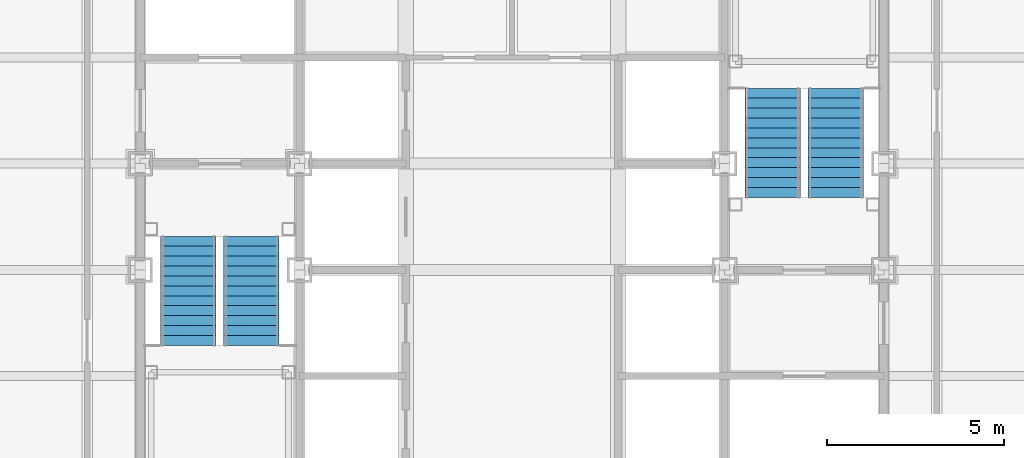
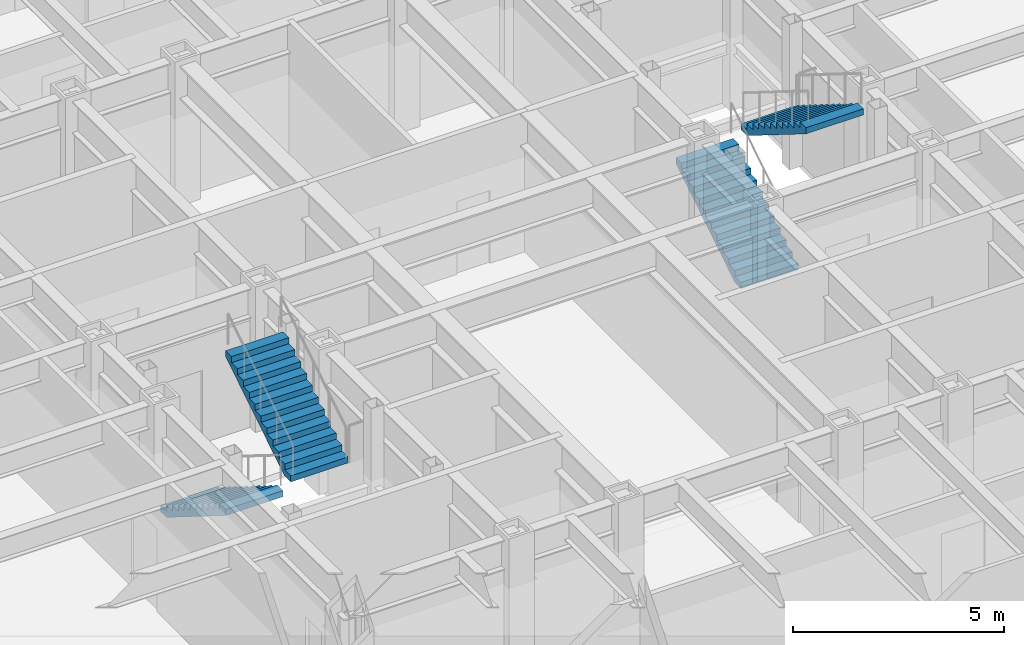
# One storey, part 13 of 16: 4 stair flights, 2 elements without a shape of their own.
"""IFC4 building model written with IfcOpenShell, lengths in metres."""

import ifcopenshell
import ifcopenshell.guid

model = None  # the IFC model being written
_history = None  # IfcOwnerHistory: only IFC2X3 demands one
_inside = {}  # id of a spatial element -> (the spatial element, [elements in it])
_under = {}  # id of a project, library or spatial element -> (it, [spatial elements below it])
_declared = {}  # id of a project -> (the project, [libraries it declares])
_typed = {}  # id of a type object -> (the type object, [elements of that type])
_made_of = {}  # id of a material, layer set ... -> (it, [elements and type objects made of it])


def new_model(schema):
    """Start an empty IFC model of exactly this schema.

    Asked for "IFC4X3", IfcOpenShell would pick the latest addendum, in which some entities
    have other attributes; the version numbers below select the first issue.
    IFC2X3 requires an IfcOwnerHistory on every rooted entity: one is made here for all.
    """
    global model, _history
    if schema == "IFC4X3":
        model = ifcopenshell.file(schema_version=(4, 3, 0, 0))
    else:
        model = ifcopenshell.file(schema=schema)
    _inside.clear()
    _under.clear()
    _declared.clear()
    _typed.clear()
    _made_of.clear()
    _history = None
    if model.schema == "IFC2X3":
        org = make("IfcOrganization", Name="unknown")
        user = make(
            "IfcPersonAndOrganization",
            ThePerson=make("IfcPerson", FamilyName="unknown"),
            TheOrganization=org,
        )
        app = make(
            "IfcApplication",
            ApplicationDeveloper=org,
            Version="unknown",
            ApplicationFullName="unknown",
            ApplicationIdentifier="unknown",
        )
        _history = make(
            "IfcOwnerHistory",
            OwningUser=user,
            OwningApplication=app,
            ChangeAction="ADDED",
            CreationDate=0,
        )
    return model


def make(cls, **values):
    """One entity of the class cls with the attributes given. An attribute that is None is left unset."""
    return model.create_entity(
        cls, **{name: value for name, value in values.items() if value is not None}
    )


def rooted(cls, **values):
    """An entity with a GlobalId (a new one), such as an element, a storey or a relation."""
    return make(cls, GlobalId=ifcopenshell.guid.new(), OwnerHistory=_history, **values)


def si_unit(unit_type, name, prefix=None):
    """IfcSIUnit, for example si_unit("LENGTHUNIT", "METRE", prefix="MILLI")."""
    return make("IfcSIUnit", UnitType=unit_type, Prefix=prefix, Name=name)


def assignment(units):
    """IfcUnitAssignment: the units of a project."""
    return None if units is None else make("IfcUnitAssignment", Units=units)


def point(xyz):
    """IfcCartesianPoint."""
    return None if xyz is None else make("IfcCartesianPoint", Coordinates=xyz)


def direction(xyz):
    """IfcDirection."""
    return None if xyz is None else make("IfcDirection", DirectionRatios=xyz)


def frame(location, z_axis=None, x_axis=None):
    """IfcAxis2Placement3D, a coordinate frame: its origin and axes. An axis left out is left unset."""
    return make(
        "IfcAxis2Placement3D",
        Location=point(location),
        Axis=direction(z_axis),
        RefDirection=direction(x_axis),
    )


def origin():
    """The frame at (0, 0, 0) with its axes left unset."""
    return frame((0.0, 0.0, 0.0))


def place(relative_to, where):
    """IfcLocalPlacement: puts the frame where relative to a parent placement (None: the world)."""
    return make(
        "IfcLocalPlacement", PlacementRelTo=relative_to, RelativePlacement=where
    )


def context(
    kind, dimensions, precision=None, world=None, true_north=None, identifier=None
):
    """IfcGeometricRepresentationContext, for example the 3D "Model" context."""
    return make(
        "IfcGeometricRepresentationContext",
        ContextIdentifier=identifier,
        ContextType=kind,
        CoordinateSpaceDimension=dimensions,
        Precision=precision,
        WorldCoordinateSystem=world,
        TrueNorth=true_north,
    )


def subcontext(parent, identifier, kind, view, scale=None):
    """IfcGeometricRepresentationSubContext, for example "Body" below "Model"."""
    return make(
        "IfcGeometricRepresentationSubContext",
        ContextIdentifier=identifier,
        ContextType=kind,
        ParentContext=parent,
        TargetScale=scale,
        TargetView=view,
    )


def project(units=None, contexts=None):
    """IfcProject with its units and contexts."""
    return rooted(
        "IfcProject",
        Name="project",
        RepresentationContexts=contexts,
        UnitsInContext=assignment(units),
    )


def spatial(cls, under=None, at=None, **own):
    """A site, building, storey or space (cls), placed at a placement, below another one or the project."""
    s = rooted(cls, ObjectPlacement=at, **own)
    if under is not None:
        _under.setdefault(under.id(), (under, []))[1].append(s)
    return s


def faces_of(points, faces, orient=None, outer=None):
    """IfcFace entities. A face is a list of loops; a loop is a list of indices into points, from 0.

    orient and outer hold one flag for each loop. By default every Orientation is true, the
    first loop of a face is its IfcFaceOuterBound and the others are IfcFaceBound.
    """
    made = []
    for i, loops in enumerate(faces):
        bounds = []
        for j, loop in enumerate(loops):
            is_outer = j == 0 if outer is None else outer[i][j]
            bounds.append(
                make(
                    "IfcFaceOuterBound" if is_outer else "IfcFaceBound",
                    Bound=make("IfcPolyLoop", Polygon=[points[k] for k in loop]),
                    Orientation=True if orient is None else orient[i][j],
                )
            )
        made.append(make("IfcFace", Bounds=bounds))
    return made


def faceted_brep(points, faces, orient=None, outer=None, voids=None):
    """IfcFacetedBrep: a solid bounded by flat faces; with voids (closed shells), ...WithVoids."""
    shared = [point(p) for p in points]
    hull = make("IfcClosedShell", CfsFaces=faces_of(shared, faces, orient, outer))
    if voids is None:
        return make("IfcFacetedBrep", Outer=hull)
    return make(
        "IfcFacetedBrepWithVoids",
        Outer=hull,
        Voids=[
            make(cls, CfsFaces=faces_of(shared, fs, o, b)) for cls, fs, o, b in voids
        ],
    )


def shape(context_of_items, identifier, shape_type, items):
    """IfcShapeRepresentation: the items that make up one representation, for example the "Body"."""
    return make(
        "IfcShapeRepresentation",
        ContextOfItems=context_of_items,
        RepresentationIdentifier=identifier,
        RepresentationType=shape_type,
        Items=items,
    )


def material(Name=None, Category=None):
    """IfcMaterial."""
    return make("IfcMaterial", Name=Name, Category=Category)


def made_of(thing, what):
    """Note that an element or type object is made of a material, layer set ...; save() writes the relation."""
    if what is not None:
        _made_of.setdefault(what.id(), (what, []))[1].append(thing)
    return thing


def type_object(cls, material=None, **own):
    """A type object (cls), such as IfcWallType, which elements share."""
    return made_of(rooted(cls, **own), material)


def element(
    cls,
    number,
    at=None,
    inside=None,
    cuts=None,
    type_object=None,
    material=None,
    context=None,
    identifier="Body",
    shape_type=None,
    held_by="IfcProductDefinitionShape",
    body=None,
    shapes=None,
    **own,
):
    """One element of the class cls, such as IfcWall. Its Tag is "e" and its number.

    at: its placement. inside: the storey or other place that contains it. cuts: it is an
    opening in that element (IfcRelVoidsElement). A single representation is given by context,
    identifier, shape_type and body (its items); several are given by shapes. held_by: the class
    of the entity that holds the representations. save() writes the other relations.
    """
    e = rooted(cls, Tag="e%d" % number, ObjectPlacement=at, **own)
    if body is not None:
        shapes = [shape(context, identifier, shape_type, body)]
    if shapes is not None:
        e.Representation = make(held_by, Representations=shapes)
    if inside is not None:
        _inside.setdefault(inside.id(), (inside, []))[1].append(e)
    if cuts is not None:
        rooted(
            "IfcRelVoidsElement", RelatingBuildingElement=cuts, RelatedOpeningElement=e
        )
    if type_object is not None:
        _typed.setdefault(type_object.id(), (type_object, []))[1].append(e)
    return made_of(e, material)


def aggregate(whole, parts):
    """IfcRelAggregates: a whole, such as a stair, and the parts it consists of."""
    return rooted("IfcRelAggregates", RelatingObject=whole, RelatedObjects=parts)


def save(model, path):
    """Write the relations noted so far, then the file.

    IfcRelAggregates (storeys below a building ...), IfcRelContainedInSpatialStructure (elements
    in a storey), IfcRelDefinesByType, IfcRelAssociatesMaterial and IfcRelDeclares: one each for
    every whole, place, type object, material and project.
    """
    for whole, parts in _under.values():
        aggregate(whole, parts)
    for where, things in _inside.values():
        rooted(
            "IfcRelContainedInSpatialStructure",
            RelatedElements=things,
            RelatingStructure=where,
        )
    for kind, things in _typed.values():
        rooted("IfcRelDefinesByType", RelatedObjects=things, RelatingType=kind)
    for what, things in _made_of.values():
        rooted("IfcRelAssociatesMaterial", RelatedObjects=things, RelatingMaterial=what)
    for by, libraries in _declared.values():
        rooted("IfcRelDeclares", RelatingContext=by, RelatedDefinitions=libraries)
    model.write(path)


model = new_model("IFC4")

# Units and contexts
model_context = context("Model", 3, precision=1e-05, world=origin(), true_north=direction((0.0, 1.0)))
body_context = subcontext(model_context, "Body", "Model", "MODEL_VIEW")
ifc_project = project(units=[si_unit("LENGTHUNIT", "METRE"), si_unit("AREAUNIT", "SQUARE_METRE"), si_unit("VOLUMEUNIT", "CUBIC_METRE"), si_unit("PLANEANGLEUNIT", "RADIAN"), si_unit("MASSUNIT", "GRAM", prefix="KILO")], contexts=[model_context])

# Site, building, storey
site_placement = place(None, origin())
site = spatial("IfcSite", under=ifc_project, at=site_placement, CompositionType="ELEMENT")
building_placement = place(site_placement, origin())
building = spatial("IfcBuilding", under=site, at=building_placement, Name="Chuquiago Exchange Tower", CompositionType="ELEMENT")
storey_placement = place(building_placement, frame((0.0, 0.0, 111.0)))
storey = spatial("IfcBuildingStorey", under=building, at=storey_placement, Name="L23", CompositionType="ELEMENT", Elevation=111.0)

# Stair, stair flights
ifc_material_1 = material(Name="Concrete C30/37, precast", Category="concrete")
stair_type_1 = type_object("IfcStairType", Name="ST1 half-turn stair 4200", PredefinedType="HALF_TURN_STAIR", material=ifc_material_1)
stair_1_placement = place(storey_placement, origin())
stair_1 = element("IfcStair", 1, at=stair_1_placement, inside=storey, type_object=stair_type_1, Name="Stair ST1 L23", PredefinedType="HALF_TURN_STAIR")
ifc_material_2 = material(Name="Concrete C30/37, precast", Category="concrete")
stair_flight_type = type_object("IfcStairFlightType", Name="ST-F flight 1570 for 4200 storey", PredefinedType="STRAIGHT", material=ifc_material_2)
stair_flight_1_placement = place(storey_placement, frame((13.360107421875, 21.949951171875, 0.0), z_axis=(0.0, 0.0, 1.0), x_axis=(0.0, -1.0, 0.0)))
stair_flight_1 = element("IfcStairFlight", 2, at=stair_flight_1_placement, type_object=stair_flight_type, Name="ST1 flight 1", NumberOfRisers=12, NumberOfTreads=11, PredefinedType="STRAIGHT", RiserHeight=0.175, TreadLength=0.28, context=body_context, shape_type="Brep", body=[
    faceted_brep([(0.0, 0.78515625, 0.0), (0.0, 0.78515625, 0.175048828125), (0.280029296875, 0.78515625, 0.175048828125), (0.280029296875, 0.78515625, 0.35009765625), (0.56005859375, 0.78515625, 0.35009765625), (0.56005859375, 0.78515625, 0.52490234375), (0.840087890625, 0.78515625, 0.52490234375), (0.840087890625, 0.78515625, 0.699951171875), (1.1201171875, 0.78515625, 0.699951171875), (1.1201171875, 0.78515625, 0.875), (1.39990234375, 0.78515625, 0.875), (1.39990234375, 0.78515625, 1.050048828125), (1.679931640625, 0.78515625, 1.050048828125), (1.679931640625, 0.78515625, 1.22509765625), (1.9599609375, 0.78515625, 1.22509765625), (1.9599609375, 0.78515625, 1.39990234375), (2.239990234375, 0.78515625, 1.39990234375), (2.239990234375, 0.78515625, 1.574951171875), (2.52001953125, 0.78515625, 1.574951171875), (2.52001953125, 0.78515625, 1.75), (2.800048828125, 0.78515625, 1.75), (2.800048828125, 0.78515625, 1.925048828125), (3.080078125, 0.78515625, 1.925048828125), (3.080078125, 0.78515625, 1.748291015625), (0.28271484375, 0.78515625, 0.0), (0.28271484375, -0.78515625, 0.0), (3.080078125, -0.78515625, 1.748291015625), (3.080078125, -0.78515625, 1.925048828125), (2.800048828125, -0.78515625, 1.925048828125), (2.800048828125, -0.78515625, 1.75), (2.52001953125, -0.78515625, 1.75), (2.52001953125, -0.78515625, 1.574951171875), (2.239990234375, -0.78515625, 1.574951171875), (2.239990234375, -0.78515625, 1.39990234375), (1.9599609375, -0.78515625, 1.39990234375), (1.9599609375, -0.78515625, 1.22509765625), (1.679931640625, -0.78515625, 1.22509765625), (1.679931640625, -0.78515625, 1.050048828125), (1.39990234375, -0.78515625, 1.050048828125), (1.39990234375, -0.78515625, 0.875), (1.1201171875, -0.78515625, 0.875), (1.1201171875, -0.78515625, 0.699951171875), (0.840087890625, -0.78515625, 0.699951171875), (0.840087890625, -0.78515625, 0.52490234375), (0.56005859375, -0.78515625, 0.52490234375), (0.56005859375, -0.78515625, 0.35009765625), (0.280029296875, -0.78515625, 0.35009765625), (0.280029296875, -0.78515625, 0.175048828125), (0.0, -0.78515625, 0.175048828125), (0.0, -0.78515625, 0.0), (0.0, 0.392578125, 0.0), (0.0, 0.392578125, 0.175048828125), (0.0, 0.0, 0.0), (0.0, 0.0, 0.175048828125), (0.0, -0.392578125, 0.0), (0.0, -0.392578125, 0.175048828125), (0.280029296875, 0.392578125, 0.175048828125), (0.280029296875, 0.0, 0.175048828125), (0.280029296875, -0.392578125, 0.175048828125), (0.280029296875, 0.392578125, 0.35009765625), (0.280029296875, 0.0, 0.35009765625), (0.280029296875, -0.392578125, 0.35009765625), (0.56005859375, 0.392578125, 0.35009765625), (0.56005859375, 0.0, 0.35009765625), (0.56005859375, -0.392578125, 0.35009765625), (0.56005859375, 0.392578125, 0.52490234375), (0.56005859375, 0.0, 0.52490234375), (0.56005859375, -0.392578125, 0.52490234375), (0.840087890625, 0.392578125, 0.52490234375), (0.840087890625, 0.0, 0.52490234375), (0.840087890625, -0.392578125, 0.52490234375), (0.840087890625, 0.392578125, 0.699951171875), (0.840087890625, 0.0, 0.699951171875), (0.840087890625, -0.392578125, 0.699951171875), (1.1201171875, 0.392578125, 0.699951171875), (1.1201171875, 0.0, 0.699951171875), (1.1201171875, -0.392578125, 0.699951171875), (1.1201171875, 0.392578125, 0.875), (1.1201171875, 0.0, 0.875), (1.1201171875, -0.392578125, 0.875), (1.39990234375, 0.392578125, 0.875), (1.39990234375, 0.0, 0.875), (1.39990234375, -0.392578125, 0.875), (1.39990234375, 0.392578125, 1.050048828125), (1.39990234375, 0.0, 1.050048828125), (1.39990234375, -0.392578125, 1.050048828125), (1.679931640625, 0.392578125, 1.050048828125), (1.679931640625, 0.0, 1.050048828125), (1.679931640625, -0.392578125, 1.050048828125), (1.679931640625, 0.392578125, 1.22509765625), (1.679931640625, 0.0, 1.22509765625), (1.679931640625, -0.392578125, 1.22509765625), (1.9599609375, 0.392578125, 1.22509765625), (1.9599609375, 0.0, 1.22509765625), (1.9599609375, -0.392578125, 1.22509765625), (1.9599609375, 0.392578125, 1.39990234375), (1.9599609375, 0.0, 1.39990234375), (1.9599609375, -0.392578125, 1.39990234375), (2.239990234375, 0.392578125, 1.39990234375), (2.239990234375, 0.0, 1.39990234375), (2.239990234375, -0.392578125, 1.39990234375), (2.239990234375, 0.392578125, 1.574951171875), (2.239990234375, 0.0, 1.574951171875), (2.239990234375, -0.392578125, 1.574951171875), (2.52001953125, 0.392578125, 1.574951171875), (2.52001953125, 0.0, 1.574951171875), (2.52001953125, -0.392578125, 1.574951171875), (2.52001953125, 0.392578125, 1.75), (2.52001953125, 0.0, 1.75), (2.52001953125, -0.392578125, 1.75), (2.800048828125, 0.392578125, 1.75), (2.800048828125, 0.0, 1.75), (2.800048828125, -0.392578125, 1.75), (2.800048828125, 0.392578125, 1.925048828125), (2.800048828125, 0.0, 1.925048828125), (2.800048828125, -0.392578125, 1.925048828125), (3.080078125, 0.392578125, 1.925048828125), (3.080078125, 0.0, 1.925048828125), (3.080078125, -0.392578125, 1.925048828125), (3.080078125, 0.392578125, 1.748291015625), (3.080078125, 0.0, 1.748291015625), (3.080078125, -0.392578125, 1.748291015625), (0.28271484375, 0.392578125, 0.0), (0.28271484375, 0.0, 0.0), (0.28271484375, -0.392578125, 0.0)], [[[0, 1, 2, 3, 4, 5, 6, 7, 8, 9, 10, 11, 12, 13, 14, 15, 16, 17, 18, 19, 20, 21, 22, 23, 24]], [[25, 26, 27, 28, 29, 30, 31, 32, 33, 34, 35, 36, 37, 38, 39, 40, 41, 42, 43, 44, 45, 46, 47, 48, 49]], [[1, 0, 50, 51]], [[51, 50, 52, 53]], [[53, 52, 54, 55]], [[55, 54, 49, 48]], [[2, 1, 51, 56]], [[56, 51, 53, 57]], [[57, 53, 55, 58]], [[58, 55, 48, 47]], [[3, 2, 56, 59]], [[59, 56, 57, 60]], [[60, 57, 58, 61]], [[61, 58, 47, 46]], [[4, 3, 59, 62]], [[62, 59, 60, 63]], [[63, 60, 61, 64]], [[64, 61, 46, 45]], [[5, 4, 62, 65]], [[65, 62, 63, 66]], [[66, 63, 64, 67]], [[67, 64, 45, 44]], [[6, 5, 65, 68]], [[68, 65, 66, 69]], [[69, 66, 67, 70]], [[70, 67, 44, 43]], [[7, 6, 68, 71]], [[71, 68, 69, 72]], [[72, 69, 70, 73]], [[73, 70, 43, 42]], [[8, 7, 71, 74]], [[74, 71, 72, 75]], [[75, 72, 73, 76]], [[76, 73, 42, 41]], [[9, 8, 74, 77]], [[77, 74, 75, 78]], [[78, 75, 76, 79]], [[79, 76, 41, 40]], [[10, 9, 77, 80]], [[80, 77, 78, 81]], [[81, 78, 79, 82]], [[82, 79, 40, 39]], [[11, 10, 80, 83]], [[83, 80, 81, 84]], [[84, 81, 82, 85]], [[85, 82, 39, 38]], [[12, 11, 83, 86]], [[86, 83, 84, 87]], [[87, 84, 85, 88]], [[88, 85, 38, 37]], [[13, 12, 86, 89]], [[89, 86, 87, 90]], [[90, 87, 88, 91]], [[91, 88, 37, 36]], [[14, 13, 89, 92]], [[92, 89, 90, 93]], [[93, 90, 91, 94]], [[94, 91, 36, 35]], [[15, 14, 92, 95]], [[95, 92, 93, 96]], [[96, 93, 94, 97]], [[97, 94, 35, 34]], [[16, 15, 95, 98]], [[98, 95, 96, 99]], [[99, 96, 97, 100]], [[100, 97, 34, 33]], [[17, 16, 98, 101]], [[101, 98, 99, 102]], [[102, 99, 100, 103]], [[103, 100, 33, 32]], [[18, 17, 101, 104]], [[104, 101, 102, 105]], [[105, 102, 103, 106]], [[106, 103, 32, 31]], [[19, 18, 104, 107]], [[107, 104, 105, 108]], [[108, 105, 106, 109]], [[109, 106, 31, 30]], [[20, 19, 107, 110]], [[110, 107, 108, 111]], [[111, 108, 109, 112]], [[112, 109, 30, 29]], [[21, 20, 110, 113]], [[113, 110, 111, 114]], [[114, 111, 112, 115]], [[115, 112, 29, 28]], [[22, 21, 113, 116]], [[116, 113, 114, 117]], [[117, 114, 115, 118]], [[118, 115, 28, 27]], [[23, 22, 116, 119]], [[119, 116, 117, 120]], [[120, 117, 118, 121]], [[121, 118, 27, 26]], [[24, 23, 119, 122]], [[122, 119, 120, 123]], [[123, 120, 121, 124]], [[124, 121, 26, 25]], [[0, 24, 122, 50]], [[50, 122, 123, 52]], [[52, 123, 124, 54]], [[54, 124, 25, 49]]]),
])
stair_flight_2_placement = place(storey_placement, frame((15.139892578125, 18.8701171875, 2.10009765625), z_axis=(0.0, 0.0, 1.0), x_axis=(0.0, 1.0, 0.0)))
stair_flight_2 = element("IfcStairFlight", 3, at=stair_flight_2_placement, type_object=stair_flight_type, Name="ST1 flight 2", NumberOfRisers=12, NumberOfTreads=11, PredefinedType="STRAIGHT", RiserHeight=0.175, TreadLength=0.28, context=body_context, shape_type="Brep", body=[
    faceted_brep([(0.0, 0.78515625, 0.0), (0.0, 0.78515625, 0.175048828125), (0.280029296875, 0.78515625, 0.175048828125), (0.280029296875, 0.78515625, 0.35009765625), (0.56005859375, 0.78515625, 0.35009765625), (0.56005859375, 0.78515625, 0.52490234375), (0.840087890625, 0.78515625, 0.52490234375), (0.840087890625, 0.78515625, 0.699951171875), (1.1201171875, 0.78515625, 0.699951171875), (1.1201171875, 0.78515625, 0.875), (1.39990234375, 0.78515625, 0.875), (1.39990234375, 0.78515625, 1.050048828125), (1.679931640625, 0.78515625, 1.050048828125), (1.679931640625, 0.78515625, 1.22509765625), (1.9599609375, 0.78515625, 1.22509765625), (1.9599609375, 0.78515625, 1.39990234375), (2.239990234375, 0.78515625, 1.39990234375), (2.239990234375, 0.78515625, 1.574951171875), (2.52001953125, 0.78515625, 1.574951171875), (2.52001953125, 0.78515625, 1.75), (2.800048828125, 0.78515625, 1.75), (2.800048828125, 0.78515625, 1.925048828125), (3.080078125, 0.78515625, 1.925048828125), (3.080078125, 0.78515625, 1.748291015625), (0.28271484375, 0.78515625, 0.0), (0.28271484375, -0.78515625, 0.0), (3.080078125, -0.78515625, 1.748291015625), (3.080078125, -0.78515625, 1.925048828125), (2.800048828125, -0.78515625, 1.925048828125), (2.800048828125, -0.78515625, 1.75), (2.52001953125, -0.78515625, 1.75), (2.52001953125, -0.78515625, 1.574951171875), (2.239990234375, -0.78515625, 1.574951171875), (2.239990234375, -0.78515625, 1.39990234375), (1.9599609375, -0.78515625, 1.39990234375), (1.9599609375, -0.78515625, 1.22509765625), (1.679931640625, -0.78515625, 1.22509765625), (1.679931640625, -0.78515625, 1.050048828125), (1.39990234375, -0.78515625, 1.050048828125), (1.39990234375, -0.78515625, 0.875), (1.1201171875, -0.78515625, 0.875), (1.1201171875, -0.78515625, 0.699951171875), (0.840087890625, -0.78515625, 0.699951171875), (0.840087890625, -0.78515625, 0.52490234375), (0.56005859375, -0.78515625, 0.52490234375), (0.56005859375, -0.78515625, 0.35009765625), (0.280029296875, -0.78515625, 0.35009765625), (0.280029296875, -0.78515625, 0.175048828125), (0.0, -0.78515625, 0.175048828125), (0.0, -0.78515625, 0.0), (0.0, 0.392578125, 0.0), (0.0, 0.392578125, 0.175048828125), (0.0, 0.0, 0.0), (0.0, 0.0, 0.175048828125), (0.0, -0.392578125, 0.0), (0.0, -0.392578125, 0.175048828125), (0.280029296875, 0.392578125, 0.175048828125), (0.280029296875, 0.0, 0.175048828125), (0.280029296875, -0.392578125, 0.175048828125), (0.280029296875, 0.392578125, 0.35009765625), (0.280029296875, 0.0, 0.35009765625), (0.280029296875, -0.392578125, 0.35009765625), (0.56005859375, 0.392578125, 0.35009765625), (0.56005859375, 0.0, 0.35009765625), (0.56005859375, -0.392578125, 0.35009765625), (0.56005859375, 0.392578125, 0.52490234375), (0.56005859375, 0.0, 0.52490234375), (0.56005859375, -0.392578125, 0.52490234375), (0.840087890625, 0.392578125, 0.52490234375), (0.840087890625, 0.0, 0.52490234375), (0.840087890625, -0.392578125, 0.52490234375), (0.840087890625, 0.392578125, 0.699951171875), (0.840087890625, 0.0, 0.699951171875), (0.840087890625, -0.392578125, 0.699951171875), (1.1201171875, 0.392578125, 0.699951171875), (1.1201171875, 0.0, 0.699951171875), (1.1201171875, -0.392578125, 0.699951171875), (1.1201171875, 0.392578125, 0.875), (1.1201171875, 0.0, 0.875), (1.1201171875, -0.392578125, 0.875), (1.39990234375, 0.392578125, 0.875), (1.39990234375, 0.0, 0.875), (1.39990234375, -0.392578125, 0.875), (1.39990234375, 0.392578125, 1.050048828125), (1.39990234375, 0.0, 1.050048828125), (1.39990234375, -0.392578125, 1.050048828125), (1.679931640625, 0.392578125, 1.050048828125), (1.679931640625, 0.0, 1.050048828125), (1.679931640625, -0.392578125, 1.050048828125), (1.679931640625, 0.392578125, 1.22509765625), (1.679931640625, 0.0, 1.22509765625), (1.679931640625, -0.392578125, 1.22509765625), (1.9599609375, 0.392578125, 1.22509765625), (1.9599609375, 0.0, 1.22509765625), (1.9599609375, -0.392578125, 1.22509765625), (1.9599609375, 0.392578125, 1.39990234375), (1.9599609375, 0.0, 1.39990234375), (1.9599609375, -0.392578125, 1.39990234375), (2.239990234375, 0.392578125, 1.39990234375), (2.239990234375, 0.0, 1.39990234375), (2.239990234375, -0.392578125, 1.39990234375), (2.239990234375, 0.392578125, 1.574951171875), (2.239990234375, 0.0, 1.574951171875), (2.239990234375, -0.392578125, 1.574951171875), (2.52001953125, 0.392578125, 1.574951171875), (2.52001953125, 0.0, 1.574951171875), (2.52001953125, -0.392578125, 1.574951171875), (2.52001953125, 0.392578125, 1.75), (2.52001953125, 0.0, 1.75), (2.52001953125, -0.392578125, 1.75), (2.800048828125, 0.392578125, 1.75), (2.800048828125, 0.0, 1.75), (2.800048828125, -0.392578125, 1.75), (2.800048828125, 0.392578125, 1.925048828125), (2.800048828125, 0.0, 1.925048828125), (2.800048828125, -0.392578125, 1.925048828125), (3.080078125, 0.392578125, 1.925048828125), (3.080078125, 0.0, 1.925048828125), (3.080078125, -0.392578125, 1.925048828125), (3.080078125, 0.392578125, 1.748291015625), (3.080078125, 0.0, 1.748291015625), (3.080078125, -0.392578125, 1.748291015625), (0.28271484375, 0.392578125, 0.0), (0.28271484375, 0.0, 0.0), (0.28271484375, -0.392578125, 0.0)], [[[0, 1, 2, 3, 4, 5, 6, 7, 8, 9, 10, 11, 12, 13, 14, 15, 16, 17, 18, 19, 20, 21, 22, 23, 24]], [[25, 26, 27, 28, 29, 30, 31, 32, 33, 34, 35, 36, 37, 38, 39, 40, 41, 42, 43, 44, 45, 46, 47, 48, 49]], [[1, 0, 50, 51]], [[51, 50, 52, 53]], [[53, 52, 54, 55]], [[55, 54, 49, 48]], [[2, 1, 51, 56]], [[56, 51, 53, 57]], [[57, 53, 55, 58]], [[58, 55, 48, 47]], [[3, 2, 56, 59]], [[59, 56, 57, 60]], [[60, 57, 58, 61]], [[61, 58, 47, 46]], [[4, 3, 59, 62]], [[62, 59, 60, 63]], [[63, 60, 61, 64]], [[64, 61, 46, 45]], [[5, 4, 62, 65]], [[65, 62, 63, 66]], [[66, 63, 64, 67]], [[67, 64, 45, 44]], [[6, 5, 65, 68]], [[68, 65, 66, 69]], [[69, 66, 67, 70]], [[70, 67, 44, 43]], [[7, 6, 68, 71]], [[71, 68, 69, 72]], [[72, 69, 70, 73]], [[73, 70, 43, 42]], [[8, 7, 71, 74]], [[74, 71, 72, 75]], [[75, 72, 73, 76]], [[76, 73, 42, 41]], [[9, 8, 74, 77]], [[77, 74, 75, 78]], [[78, 75, 76, 79]], [[79, 76, 41, 40]], [[10, 9, 77, 80]], [[80, 77, 78, 81]], [[81, 78, 79, 82]], [[82, 79, 40, 39]], [[11, 10, 80, 83]], [[83, 80, 81, 84]], [[84, 81, 82, 85]], [[85, 82, 39, 38]], [[12, 11, 83, 86]], [[86, 83, 84, 87]], [[87, 84, 85, 88]], [[88, 85, 38, 37]], [[13, 12, 86, 89]], [[89, 86, 87, 90]], [[90, 87, 88, 91]], [[91, 88, 37, 36]], [[14, 13, 89, 92]], [[92, 89, 90, 93]], [[93, 90, 91, 94]], [[94, 91, 36, 35]], [[15, 14, 92, 95]], [[95, 92, 93, 96]], [[96, 93, 94, 97]], [[97, 94, 35, 34]], [[16, 15, 95, 98]], [[98, 95, 96, 99]], [[99, 96, 97, 100]], [[100, 97, 34, 33]], [[17, 16, 98, 101]], [[101, 98, 99, 102]], [[102, 99, 100, 103]], [[103, 100, 33, 32]], [[18, 17, 101, 104]], [[104, 101, 102, 105]], [[105, 102, 103, 106]], [[106, 103, 32, 31]], [[19, 18, 104, 107]], [[107, 104, 105, 108]], [[108, 105, 106, 109]], [[109, 106, 31, 30]], [[20, 19, 107, 110]], [[110, 107, 108, 111]], [[111, 108, 109, 112]], [[112, 109, 30, 29]], [[21, 20, 110, 113]], [[113, 110, 111, 114]], [[114, 111, 112, 115]], [[115, 112, 29, 28]], [[22, 21, 113, 116]], [[116, 113, 114, 117]], [[117, 114, 115, 118]], [[118, 115, 28, 27]], [[23, 22, 116, 119]], [[119, 116, 117, 120]], [[120, 117, 118, 121]], [[121, 118, 27, 26]], [[24, 23, 119, 122]], [[122, 119, 120, 123]], [[123, 120, 121, 124]], [[124, 121, 26, 25]], [[0, 24, 122, 50]], [[50, 122, 123, 52]], [[52, 123, 124, 54]], [[54, 124, 25, 49]]]),
])
aggregate(stair_1, [stair_flight_1, stair_flight_2])

ifc_material_3 = material(Name="Concrete C30/37, precast", Category="concrete")
stair_type_2 = type_object("IfcStairType", Name="ST2 half-turn stair 4200", PredefinedType="HALF_TURN_STAIR", material=ifc_material_3)
stair_2_placement = place(storey_placement, origin())
stair_2 = element("IfcStair", 4, at=stair_2_placement, inside=storey, type_object=stair_type_2, Name="Stair ST2 L23", PredefinedType="HALF_TURN_STAIR")
stair_flight_3_placement = place(storey_placement, frame((29.860107421875, 23.050048828125, 0.0), z_axis=(0.0, 0.0, 1.0), x_axis=(0.0, 1.0, 0.0)))
stair_flight_3 = element("IfcStairFlight", 5, at=stair_flight_3_placement, type_object=stair_flight_type, Name="ST2 flight 1", NumberOfRisers=12, NumberOfTreads=11, PredefinedType="STRAIGHT", RiserHeight=0.175, TreadLength=0.28, context=body_context, shape_type="Brep", body=[
    faceted_brep([(0.0, 0.78515625, 0.0), (0.0, 0.78515625, 0.175048828125), (0.280029296875, 0.78515625, 0.175048828125), (0.280029296875, 0.78515625, 0.35009765625), (0.56005859375, 0.78515625, 0.35009765625), (0.56005859375, 0.78515625, 0.52490234375), (0.840087890625, 0.78515625, 0.52490234375), (0.840087890625, 0.78515625, 0.699951171875), (1.1201171875, 0.78515625, 0.699951171875), (1.1201171875, 0.78515625, 0.875), (1.39990234375, 0.78515625, 0.875), (1.39990234375, 0.78515625, 1.050048828125), (1.679931640625, 0.78515625, 1.050048828125), (1.679931640625, 0.78515625, 1.22509765625), (1.9599609375, 0.78515625, 1.22509765625), (1.9599609375, 0.78515625, 1.39990234375), (2.239990234375, 0.78515625, 1.39990234375), (2.239990234375, 0.78515625, 1.574951171875), (2.52001953125, 0.78515625, 1.574951171875), (2.52001953125, 0.78515625, 1.75), (2.800048828125, 0.78515625, 1.75), (2.800048828125, 0.78515625, 1.925048828125), (3.080078125, 0.78515625, 1.925048828125), (3.080078125, 0.78515625, 1.748291015625), (0.28271484375, 0.78515625, 0.0), (0.28271484375, -0.78515625, 0.0), (3.080078125, -0.78515625, 1.748291015625), (3.080078125, -0.78515625, 1.925048828125), (2.800048828125, -0.78515625, 1.925048828125), (2.800048828125, -0.78515625, 1.75), (2.52001953125, -0.78515625, 1.75), (2.52001953125, -0.78515625, 1.574951171875), (2.239990234375, -0.78515625, 1.574951171875), (2.239990234375, -0.78515625, 1.39990234375), (1.9599609375, -0.78515625, 1.39990234375), (1.9599609375, -0.78515625, 1.22509765625), (1.679931640625, -0.78515625, 1.22509765625), (1.679931640625, -0.78515625, 1.050048828125), (1.39990234375, -0.78515625, 1.050048828125), (1.39990234375, -0.78515625, 0.875), (1.1201171875, -0.78515625, 0.875), (1.1201171875, -0.78515625, 0.699951171875), (0.840087890625, -0.78515625, 0.699951171875), (0.840087890625, -0.78515625, 0.52490234375), (0.56005859375, -0.78515625, 0.52490234375), (0.56005859375, -0.78515625, 0.35009765625), (0.280029296875, -0.78515625, 0.35009765625), (0.280029296875, -0.78515625, 0.175048828125), (0.0, -0.78515625, 0.175048828125), (0.0, -0.78515625, 0.0), (0.0, 0.392578125, 0.0), (0.0, 0.392578125, 0.175048828125), (0.0, 0.0, 0.0), (0.0, 0.0, 0.175048828125), (0.0, -0.392578125, 0.0), (0.0, -0.392578125, 0.175048828125), (0.280029296875, 0.392578125, 0.175048828125), (0.280029296875, 0.0, 0.175048828125), (0.280029296875, -0.392578125, 0.175048828125), (0.280029296875, 0.392578125, 0.35009765625), (0.280029296875, 0.0, 0.35009765625), (0.280029296875, -0.392578125, 0.35009765625), (0.56005859375, 0.392578125, 0.35009765625), (0.56005859375, 0.0, 0.35009765625), (0.56005859375, -0.392578125, 0.35009765625), (0.56005859375, 0.392578125, 0.52490234375), (0.56005859375, 0.0, 0.52490234375), (0.56005859375, -0.392578125, 0.52490234375), (0.840087890625, 0.392578125, 0.52490234375), (0.840087890625, 0.0, 0.52490234375), (0.840087890625, -0.392578125, 0.52490234375), (0.840087890625, 0.392578125, 0.699951171875), (0.840087890625, 0.0, 0.699951171875), (0.840087890625, -0.392578125, 0.699951171875), (1.1201171875, 0.392578125, 0.699951171875), (1.1201171875, 0.0, 0.699951171875), (1.1201171875, -0.392578125, 0.699951171875), (1.1201171875, 0.392578125, 0.875), (1.1201171875, 0.0, 0.875), (1.1201171875, -0.392578125, 0.875), (1.39990234375, 0.392578125, 0.875), (1.39990234375, 0.0, 0.875), (1.39990234375, -0.392578125, 0.875), (1.39990234375, 0.392578125, 1.050048828125), (1.39990234375, 0.0, 1.050048828125), (1.39990234375, -0.392578125, 1.050048828125), (1.679931640625, 0.392578125, 1.050048828125), (1.679931640625, 0.0, 1.050048828125), (1.679931640625, -0.392578125, 1.050048828125), (1.679931640625, 0.392578125, 1.22509765625), (1.679931640625, 0.0, 1.22509765625), (1.679931640625, -0.392578125, 1.22509765625), (1.9599609375, 0.392578125, 1.22509765625), (1.9599609375, 0.0, 1.22509765625), (1.9599609375, -0.392578125, 1.22509765625), (1.9599609375, 0.392578125, 1.39990234375), (1.9599609375, 0.0, 1.39990234375), (1.9599609375, -0.392578125, 1.39990234375), (2.239990234375, 0.392578125, 1.39990234375), (2.239990234375, 0.0, 1.39990234375), (2.239990234375, -0.392578125, 1.39990234375), (2.239990234375, 0.392578125, 1.574951171875), (2.239990234375, 0.0, 1.574951171875), (2.239990234375, -0.392578125, 1.574951171875), (2.52001953125, 0.392578125, 1.574951171875), (2.52001953125, 0.0, 1.574951171875), (2.52001953125, -0.392578125, 1.574951171875), (2.52001953125, 0.392578125, 1.75), (2.52001953125, 0.0, 1.75), (2.52001953125, -0.392578125, 1.75), (2.800048828125, 0.392578125, 1.75), (2.800048828125, 0.0, 1.75), (2.800048828125, -0.392578125, 1.75), (2.800048828125, 0.392578125, 1.925048828125), (2.800048828125, 0.0, 1.925048828125), (2.800048828125, -0.392578125, 1.925048828125), (3.080078125, 0.392578125, 1.925048828125), (3.080078125, 0.0, 1.925048828125), (3.080078125, -0.392578125, 1.925048828125), (3.080078125, 0.392578125, 1.748291015625), (3.080078125, 0.0, 1.748291015625), (3.080078125, -0.392578125, 1.748291015625), (0.28271484375, 0.392578125, 0.0), (0.28271484375, 0.0, 0.0), (0.28271484375, -0.392578125, 0.0)], [[[0, 1, 2, 3, 4, 5, 6, 7, 8, 9, 10, 11, 12, 13, 14, 15, 16, 17, 18, 19, 20, 21, 22, 23, 24]], [[25, 26, 27, 28, 29, 30, 31, 32, 33, 34, 35, 36, 37, 38, 39, 40, 41, 42, 43, 44, 45, 46, 47, 48, 49]], [[1, 0, 50, 51]], [[51, 50, 52, 53]], [[53, 52, 54, 55]], [[55, 54, 49, 48]], [[2, 1, 51, 56]], [[56, 51, 53, 57]], [[57, 53, 55, 58]], [[58, 55, 48, 47]], [[3, 2, 56, 59]], [[59, 56, 57, 60]], [[60, 57, 58, 61]], [[61, 58, 47, 46]], [[4, 3, 59, 62]], [[62, 59, 60, 63]], [[63, 60, 61, 64]], [[64, 61, 46, 45]], [[5, 4, 62, 65]], [[65, 62, 63, 66]], [[66, 63, 64, 67]], [[67, 64, 45, 44]], [[6, 5, 65, 68]], [[68, 65, 66, 69]], [[69, 66, 67, 70]], [[70, 67, 44, 43]], [[7, 6, 68, 71]], [[71, 68, 69, 72]], [[72, 69, 70, 73]], [[73, 70, 43, 42]], [[8, 7, 71, 74]], [[74, 71, 72, 75]], [[75, 72, 73, 76]], [[76, 73, 42, 41]], [[9, 8, 74, 77]], [[77, 74, 75, 78]], [[78, 75, 76, 79]], [[79, 76, 41, 40]], [[10, 9, 77, 80]], [[80, 77, 78, 81]], [[81, 78, 79, 82]], [[82, 79, 40, 39]], [[11, 10, 80, 83]], [[83, 80, 81, 84]], [[84, 81, 82, 85]], [[85, 82, 39, 38]], [[12, 11, 83, 86]], [[86, 83, 84, 87]], [[87, 84, 85, 88]], [[88, 85, 38, 37]], [[13, 12, 86, 89]], [[89, 86, 87, 90]], [[90, 87, 88, 91]], [[91, 88, 37, 36]], [[14, 13, 89, 92]], [[92, 89, 90, 93]], [[93, 90, 91, 94]], [[94, 91, 36, 35]], [[15, 14, 92, 95]], [[95, 92, 93, 96]], [[96, 93, 94, 97]], [[97, 94, 35, 34]], [[16, 15, 95, 98]], [[98, 95, 96, 99]], [[99, 96, 97, 100]], [[100, 97, 34, 33]], [[17, 16, 98, 101]], [[101, 98, 99, 102]], [[102, 99, 100, 103]], [[103, 100, 33, 32]], [[18, 17, 101, 104]], [[104, 101, 102, 105]], [[105, 102, 103, 106]], [[106, 103, 32, 31]], [[19, 18, 104, 107]], [[107, 104, 105, 108]], [[108, 105, 106, 109]], [[109, 106, 31, 30]], [[20, 19, 107, 110]], [[110, 107, 108, 111]], [[111, 108, 109, 112]], [[112, 109, 30, 29]], [[21, 20, 110, 113]], [[113, 110, 111, 114]], [[114, 111, 112, 115]], [[115, 112, 29, 28]], [[22, 21, 113, 116]], [[116, 113, 114, 117]], [[117, 114, 115, 118]], [[118, 115, 28, 27]], [[23, 22, 116, 119]], [[119, 116, 117, 120]], [[120, 117, 118, 121]], [[121, 118, 27, 26]], [[24, 23, 119, 122]], [[122, 119, 120, 123]], [[123, 120, 121, 124]], [[124, 121, 26, 25]], [[0, 24, 122, 50]], [[50, 122, 123, 52]], [[52, 123, 124, 54]], [[54, 124, 25, 49]]]),
])
stair_flight_4_placement = place(storey_placement, frame((31.639892578125, 26.1298828125, 2.10009765625), z_axis=(0.0, 0.0, 1.0), x_axis=(0.0, -1.0, 0.0)))
stair_flight_4 = element("IfcStairFlight", 6, at=stair_flight_4_placement, type_object=stair_flight_type, Name="ST2 flight 2", NumberOfRisers=12, NumberOfTreads=11, PredefinedType="STRAIGHT", RiserHeight=0.175, TreadLength=0.28, context=body_context, shape_type="Brep", body=[
    faceted_brep([(0.0, 0.78515625, 0.0), (0.0, 0.78515625, 0.175048828125), (0.280029296875, 0.78515625, 0.175048828125), (0.280029296875, 0.78515625, 0.35009765625), (0.56005859375, 0.78515625, 0.35009765625), (0.56005859375, 0.78515625, 0.52490234375), (0.840087890625, 0.78515625, 0.52490234375), (0.840087890625, 0.78515625, 0.699951171875), (1.1201171875, 0.78515625, 0.699951171875), (1.1201171875, 0.78515625, 0.875), (1.39990234375, 0.78515625, 0.875), (1.39990234375, 0.78515625, 1.050048828125), (1.679931640625, 0.78515625, 1.050048828125), (1.679931640625, 0.78515625, 1.22509765625), (1.9599609375, 0.78515625, 1.22509765625), (1.9599609375, 0.78515625, 1.39990234375), (2.239990234375, 0.78515625, 1.39990234375), (2.239990234375, 0.78515625, 1.574951171875), (2.52001953125, 0.78515625, 1.574951171875), (2.52001953125, 0.78515625, 1.75), (2.800048828125, 0.78515625, 1.75), (2.800048828125, 0.78515625, 1.925048828125), (3.080078125, 0.78515625, 1.925048828125), (3.080078125, 0.78515625, 1.748291015625), (0.28271484375, 0.78515625, 0.0), (0.28271484375, -0.78515625, 0.0), (3.080078125, -0.78515625, 1.748291015625), (3.080078125, -0.78515625, 1.925048828125), (2.800048828125, -0.78515625, 1.925048828125), (2.800048828125, -0.78515625, 1.75), (2.52001953125, -0.78515625, 1.75), (2.52001953125, -0.78515625, 1.574951171875), (2.239990234375, -0.78515625, 1.574951171875), (2.239990234375, -0.78515625, 1.39990234375), (1.9599609375, -0.78515625, 1.39990234375), (1.9599609375, -0.78515625, 1.22509765625), (1.679931640625, -0.78515625, 1.22509765625), (1.679931640625, -0.78515625, 1.050048828125), (1.39990234375, -0.78515625, 1.050048828125), (1.39990234375, -0.78515625, 0.875), (1.1201171875, -0.78515625, 0.875), (1.1201171875, -0.78515625, 0.699951171875), (0.840087890625, -0.78515625, 0.699951171875), (0.840087890625, -0.78515625, 0.52490234375), (0.56005859375, -0.78515625, 0.52490234375), (0.56005859375, -0.78515625, 0.35009765625), (0.280029296875, -0.78515625, 0.35009765625), (0.280029296875, -0.78515625, 0.175048828125), (0.0, -0.78515625, 0.175048828125), (0.0, -0.78515625, 0.0), (0.0, 0.392578125, 0.0), (0.0, 0.392578125, 0.175048828125), (0.0, 0.0, 0.0), (0.0, 0.0, 0.175048828125), (0.0, -0.392578125, 0.0), (0.0, -0.392578125, 0.175048828125), (0.280029296875, 0.392578125, 0.175048828125), (0.280029296875, 0.0, 0.175048828125), (0.280029296875, -0.392578125, 0.175048828125), (0.280029296875, 0.392578125, 0.35009765625), (0.280029296875, 0.0, 0.35009765625), (0.280029296875, -0.392578125, 0.35009765625), (0.56005859375, 0.392578125, 0.35009765625), (0.56005859375, 0.0, 0.35009765625), (0.56005859375, -0.392578125, 0.35009765625), (0.56005859375, 0.392578125, 0.52490234375), (0.56005859375, 0.0, 0.52490234375), (0.56005859375, -0.392578125, 0.52490234375), (0.840087890625, 0.392578125, 0.52490234375), (0.840087890625, 0.0, 0.52490234375), (0.840087890625, -0.392578125, 0.52490234375), (0.840087890625, 0.392578125, 0.699951171875), (0.840087890625, 0.0, 0.699951171875), (0.840087890625, -0.392578125, 0.699951171875), (1.1201171875, 0.392578125, 0.699951171875), (1.1201171875, 0.0, 0.699951171875), (1.1201171875, -0.392578125, 0.699951171875), (1.1201171875, 0.392578125, 0.875), (1.1201171875, 0.0, 0.875), (1.1201171875, -0.392578125, 0.875), (1.39990234375, 0.392578125, 0.875), (1.39990234375, 0.0, 0.875), (1.39990234375, -0.392578125, 0.875), (1.39990234375, 0.392578125, 1.050048828125), (1.39990234375, 0.0, 1.050048828125), (1.39990234375, -0.392578125, 1.050048828125), (1.679931640625, 0.392578125, 1.050048828125), (1.679931640625, 0.0, 1.050048828125), (1.679931640625, -0.392578125, 1.050048828125), (1.679931640625, 0.392578125, 1.22509765625), (1.679931640625, 0.0, 1.22509765625), (1.679931640625, -0.392578125, 1.22509765625), (1.9599609375, 0.392578125, 1.22509765625), (1.9599609375, 0.0, 1.22509765625), (1.9599609375, -0.392578125, 1.22509765625), (1.9599609375, 0.392578125, 1.39990234375), (1.9599609375, 0.0, 1.39990234375), (1.9599609375, -0.392578125, 1.39990234375), (2.239990234375, 0.392578125, 1.39990234375), (2.239990234375, 0.0, 1.39990234375), (2.239990234375, -0.392578125, 1.39990234375), (2.239990234375, 0.392578125, 1.574951171875), (2.239990234375, 0.0, 1.574951171875), (2.239990234375, -0.392578125, 1.574951171875), (2.52001953125, 0.392578125, 1.574951171875), (2.52001953125, 0.0, 1.574951171875), (2.52001953125, -0.392578125, 1.574951171875), (2.52001953125, 0.392578125, 1.75), (2.52001953125, 0.0, 1.75), (2.52001953125, -0.392578125, 1.75), (2.800048828125, 0.392578125, 1.75), (2.800048828125, 0.0, 1.75), (2.800048828125, -0.392578125, 1.75), (2.800048828125, 0.392578125, 1.925048828125), (2.800048828125, 0.0, 1.925048828125), (2.800048828125, -0.392578125, 1.925048828125), (3.080078125, 0.392578125, 1.925048828125), (3.080078125, 0.0, 1.925048828125), (3.080078125, -0.392578125, 1.925048828125), (3.080078125, 0.392578125, 1.748291015625), (3.080078125, 0.0, 1.748291015625), (3.080078125, -0.392578125, 1.748291015625), (0.28271484375, 0.392578125, 0.0), (0.28271484375, 0.0, 0.0), (0.28271484375, -0.392578125, 0.0)], [[[0, 1, 2, 3, 4, 5, 6, 7, 8, 9, 10, 11, 12, 13, 14, 15, 16, 17, 18, 19, 20, 21, 22, 23, 24]], [[25, 26, 27, 28, 29, 30, 31, 32, 33, 34, 35, 36, 37, 38, 39, 40, 41, 42, 43, 44, 45, 46, 47, 48, 49]], [[1, 0, 50, 51]], [[51, 50, 52, 53]], [[53, 52, 54, 55]], [[55, 54, 49, 48]], [[2, 1, 51, 56]], [[56, 51, 53, 57]], [[57, 53, 55, 58]], [[58, 55, 48, 47]], [[3, 2, 56, 59]], [[59, 56, 57, 60]], [[60, 57, 58, 61]], [[61, 58, 47, 46]], [[4, 3, 59, 62]], [[62, 59, 60, 63]], [[63, 60, 61, 64]], [[64, 61, 46, 45]], [[5, 4, 62, 65]], [[65, 62, 63, 66]], [[66, 63, 64, 67]], [[67, 64, 45, 44]], [[6, 5, 65, 68]], [[68, 65, 66, 69]], [[69, 66, 67, 70]], [[70, 67, 44, 43]], [[7, 6, 68, 71]], [[71, 68, 69, 72]], [[72, 69, 70, 73]], [[73, 70, 43, 42]], [[8, 7, 71, 74]], [[74, 71, 72, 75]], [[75, 72, 73, 76]], [[76, 73, 42, 41]], [[9, 8, 74, 77]], [[77, 74, 75, 78]], [[78, 75, 76, 79]], [[79, 76, 41, 40]], [[10, 9, 77, 80]], [[80, 77, 78, 81]], [[81, 78, 79, 82]], [[82, 79, 40, 39]], [[11, 10, 80, 83]], [[83, 80, 81, 84]], [[84, 81, 82, 85]], [[85, 82, 39, 38]], [[12, 11, 83, 86]], [[86, 83, 84, 87]], [[87, 84, 85, 88]], [[88, 85, 38, 37]], [[13, 12, 86, 89]], [[89, 86, 87, 90]], [[90, 87, 88, 91]], [[91, 88, 37, 36]], [[14, 13, 89, 92]], [[92, 89, 90, 93]], [[93, 90, 91, 94]], [[94, 91, 36, 35]], [[15, 14, 92, 95]], [[95, 92, 93, 96]], [[96, 93, 94, 97]], [[97, 94, 35, 34]], [[16, 15, 95, 98]], [[98, 95, 96, 99]], [[99, 96, 97, 100]], [[100, 97, 34, 33]], [[17, 16, 98, 101]], [[101, 98, 99, 102]], [[102, 99, 100, 103]], [[103, 100, 33, 32]], [[18, 17, 101, 104]], [[104, 101, 102, 105]], [[105, 102, 103, 106]], [[106, 103, 32, 31]], [[19, 18, 104, 107]], [[107, 104, 105, 108]], [[108, 105, 106, 109]], [[109, 106, 31, 30]], [[20, 19, 107, 110]], [[110, 107, 108, 111]], [[111, 108, 109, 112]], [[112, 109, 30, 29]], [[21, 20, 110, 113]], [[113, 110, 111, 114]], [[114, 111, 112, 115]], [[115, 112, 29, 28]], [[22, 21, 113, 116]], [[116, 113, 114, 117]], [[117, 114, 115, 118]], [[118, 115, 28, 27]], [[23, 22, 116, 119]], [[119, 116, 117, 120]], [[120, 117, 118, 121]], [[121, 118, 27, 26]], [[24, 23, 119, 122]], [[122, 119, 120, 123]], [[123, 120, 121, 124]], [[124, 121, 26, 25]], [[0, 24, 122, 50]], [[50, 122, 123, 52]], [[52, 123, 124, 54]], [[54, 124, 25, 49]]]),
])
aggregate(stair_2, [stair_flight_3, stair_flight_4])

save(model, "model.ifc")
